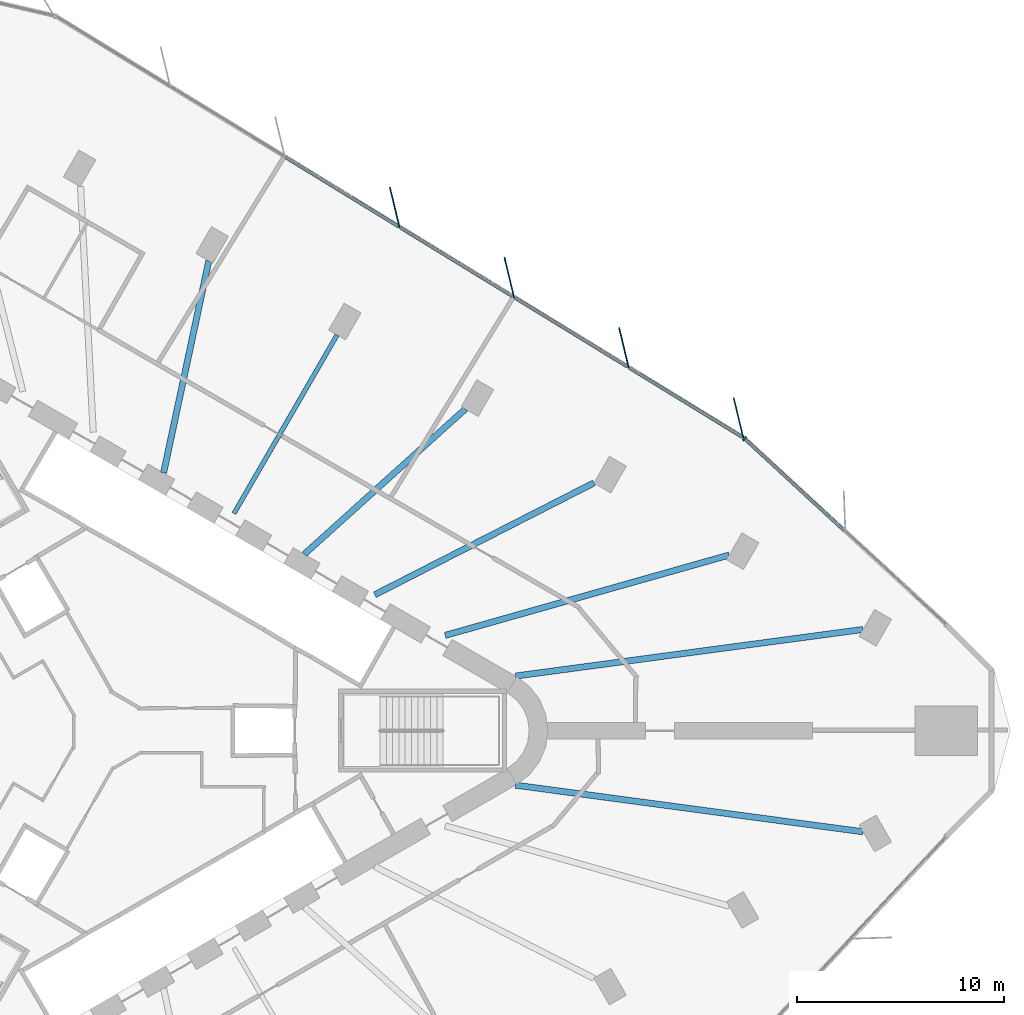
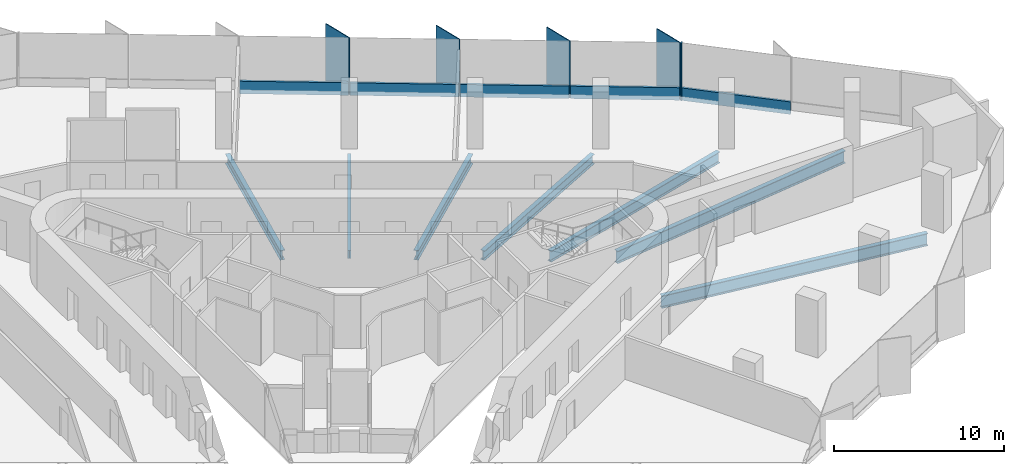
# One storey, part 5 of 14: 10 members, 7 beams, 2 elements without a shape of their own.
"""IFC4 building model written with IfcOpenShell, lengths in metres."""

from ifc_helpers import new_model, si_unit, direction, frame, origin, origin_2d, place, context, subcontext, project, spatial, rectangle, i_section, extrude, material, material_profile, profile_set, type_object, element, aggregate, save


model = new_model("IFC4")

# Units and contexts
model_context = context("Model", 3, precision=1e-05, world=origin(), true_north=direction((0.0, 1.0)))
body_context = subcontext(model_context, "Body", "Model", "MODEL_VIEW")
ifc_project = project(units=[si_unit("LENGTHUNIT", "METRE"), si_unit("AREAUNIT", "SQUARE_METRE"), si_unit("VOLUMEUNIT", "CUBIC_METRE"), si_unit("PLANEANGLEUNIT", "RADIAN"), si_unit("MASSUNIT", "GRAM", prefix="KILO")], contexts=[model_context])

# Site, building, storey
site_placement = place(None, origin())
site = spatial("IfcSite", under=ifc_project, at=site_placement, CompositionType="ELEMENT")
building_placement = place(site_placement, origin())
building = spatial("IfcBuilding", under=site, at=building_placement, Name="Tanit Gate Tower", CompositionType="ELEMENT")
storey_placement = place(building_placement, frame((0.0, 0.0, 127.5)))
storey = spatial("IfcBuildingStorey", under=building, at=storey_placement, Name="L27", CompositionType="ELEMENT", Elevation=127.5)

# Curtain wall, members
ifc_material_1 = material(Name="Aluminium bronze anodised and glass", Category="aluminium")
curtain_wall_type = type_object("IfcCurtainWallType", Name="Curtain wall typical low", PredefinedType="NOTDEFINED", material=ifc_material_1)
curtain_wall_1_placement = place(storey_placement, origin())
curtain_wall_1 = element("IfcCurtainWall", 1, at=curtain_wall_1_placement, inside=storey, type_object=curtain_wall_type, Name="Curtain wall L27 NE2", PredefinedType="NOTDEFINED")
ifc_material_2 = material(Name="Aluminium bronze anodised", Category="aluminium")
ifc_material_profile_1 = material_profile(ifc_material_2, rectangle(XDim=2.0, YDim=0.055908203125, at=origin_2d()), Name="56x2000 bronze fin mullion")
ifc_profile_set_1 = profile_set([ifc_material_profile_1], Name="Aluminium bronze anodised")
member_type_1 = type_object("IfcMemberType", Name="FIN MULLION 56x2000 bronze", PredefinedType="MULLION", material=ifc_profile_set_1)
member_1_placement = place(storey_placement, frame((30.402099609375, 15.08984375, -0.300048828125), z_axis=(0.0, 0.0, 1.0), x_axis=(0.23355666729, -0.97234319207, 0.0)))
member_1 = element("IfcMember", 2, at=member_1_placement, type_object=member_type_1, Name="Fin mullion L27 NE2.1", PredefinedType="MULLION", context=body_context, shape_type="SweptSolid", body=[
    extrude(rectangle(XDim=2.0, YDim=0.055908203125, at=origin_2d()), origin(), (0.0, 0.0, 1.0), 4.10009765625),
])
member_2_placement = place(storey_placement, frame((24.8701171875, 18.47900390625, -0.300048828125), z_axis=(0.0, 0.0, 1.0), x_axis=(0.23355666729, -0.97234319207, 0.0)))
member_2 = element("IfcMember", 3, at=member_2_placement, type_object=member_type_1, Name="Fin mullion L27 NE2.2", PredefinedType="MULLION", context=body_context, shape_type="SweptSolid", body=[
    extrude(rectangle(XDim=2.0, YDim=0.055908203125, at=origin_2d()), origin(), (0.0, 0.0, 1.0), 4.10009765625),
])
member_3_placement = place(storey_placement, frame((19.338134765625, 21.8681640625, -0.300048828125), z_axis=(0.0, 0.0, 1.0), x_axis=(0.23355666729, -0.97234319207, 0.0)))
member_3 = element("IfcMember", 4, at=member_3_placement, type_object=member_type_1, Name="Fin mullion L27 NE2.3", PredefinedType="MULLION", context=body_context, shape_type="SweptSolid", body=[
    extrude(rectangle(XDim=2.0, YDim=0.055908203125, at=origin_2d()), origin(), (0.0, 0.0, 1.0), 4.10009765625),
])
member_4_placement = place(storey_placement, frame((13.80615234375, 25.25732421875, -0.300048828125), z_axis=(0.0, 0.0, 1.0), x_axis=(0.23355666729, -0.97234319207, 0.0)))
member_4 = element("IfcMember", 5, at=member_4_placement, type_object=member_type_1, Name="Fin mullion L27 NE2.4", PredefinedType="MULLION", context=body_context, shape_type="SweptSolid", body=[
    extrude(rectangle(XDim=2.0, YDim=0.055908203125, at=origin_2d()), origin(), (0.0, 0.0, 1.0), 4.10009765625),
])

# Curtain wall, member
curtain_wall_2_placement = place(storey_placement, origin())
curtain_wall_2 = element("IfcCurtainWall", 6, at=curtain_wall_2_placement, inside=storey, type_object=curtain_wall_type, Name="Curtain wall L27 NE1", PredefinedType="NOTDEFINED")
ifc_material_3 = material(Name="Aluminium bronze anodised", Category="aluminium")
ifc_material_profile_2 = material_profile(ifc_material_3, rectangle(XDim=0.239990234375, YDim=0.080078125, at=origin_2d()), Name="80x240 bronze mullion")
ifc_profile_set_2 = profile_set([ifc_material_profile_2], Name="Aluminium bronze anodised")
member_type_2 = type_object("IfcMemberType", Name="Mullion 80x240 typical low", PredefinedType="MULLION", material=ifc_profile_set_2)
member_5_placement = place(storey_placement, frame((30.69384765625, 14.091552734375, -0.300048828125), z_axis=(0.0, 0.0, 1.0), x_axis=(-0.678017021535, -0.735046201615, 0.0)))
member_5 = element("IfcMember", 7, at=member_5_placement, type_object=member_type_2, Name="Mullion L27 NE1.3", PredefinedType="MULLION", context=body_context, shape_type="SweptSolid", body=[
    extrude(rectangle(XDim=0.239990234375, YDim=0.080078125, at=origin_2d()), origin(), (0.0, 0.0, 1.0), 4.10009765625),
])

# Beams
ifc_material_4 = material(Name="Steel S355", Category="steel")
ifc_material_profile_3 = material_profile(ifc_material_4, i_section(OverallWidth=0.300048828125, OverallDepth=0.68994140625, WebThickness=0.014404296875, FlangeThickness=0.027099609375, FilletRadius=0.027099609375, at=origin_2d()), Name="HEA 700")
ifc_profile_set_3 = profile_set([ifc_material_profile_3], Name="Steel S355")
beam_type_1 = type_object("IfcBeamType", Name="RADIAL GIRDER HEA 700 S355", PredefinedType="BEAM", material=ifc_profile_set_3)
beam_1_placement = place(storey_placement, frame((23.4248046875, 11.95703125, -0.64501953125), z_axis=(-0.890679829273, -0.454631105101, 0.0), x_axis=(0.454631105101, -0.890679829273, 0.0)))
element("IfcBeam", 8, at=beam_1_placement, inside=storey, type_object=beam_type_1, Name="RADIAL GIRDER", PredefinedType="BEAM", context=body_context, shape_type="SweptSolid", body=[
    extrude(i_section(OverallWidth=0.300048828125, OverallDepth=0.68994140625, WebThickness=0.014404296875, FlangeThickness=0.027099609375, FilletRadius=0.027099609375, at=origin_2d()), origin(), (0.0, 0.0, 1.0), 11.876953125),
])
beam_2_placement = place(storey_placement, frame((17.2158203125, 15.52197265625, -0.64501953125), z_axis=(-0.742697199344, -0.669627411391, 0.0), x_axis=(0.669627411391, -0.742697199344, 0.0)))
element("IfcBeam", 9, at=beam_2_placement, inside=storey, type_object=beam_type_1, Name="RADIAL GIRDER", PredefinedType="BEAM", context=body_context, shape_type="SweptSolid", body=[
    extrude(i_section(OverallWidth=0.300048828125, OverallDepth=0.68994140625, WebThickness=0.014404296875, FlangeThickness=0.027099609375, FilletRadius=0.027099609375, at=origin_2d()), origin(), (0.0, 0.0, 1.0), 10.4580078125),
])
beam_3_placement = place(storey_placement, frame((4.83447265625, 22.670166015625, -0.64501953125), z_axis=(-0.208567613374, -0.978007950199, 0.0), x_axis=(0.978007950199, -0.208567613374, 0.0)))
element("IfcBeam", 10, at=beam_3_placement, inside=storey, type_object=beam_type_1, Name="RADIAL GIRDER", PredefinedType="BEAM", context=body_context, shape_type="SweptSolid", body=[
    extrude(i_section(OverallWidth=0.300048828125, OverallDepth=0.68994140625, WebThickness=0.014404296875, FlangeThickness=0.027099609375, FilletRadius=0.027099609375, at=origin_2d()), origin(), (0.0, 0.0, 1.0), 10.457763671875),
])
ifc_material_5 = material(Name="Steel S355", Category="steel")
ifc_material_profile_4 = material_profile(ifc_material_5, i_section(OverallWidth=0.300048828125, OverallDepth=0.7900390625, WebThickness=0.014892578125, FlangeThickness=0.028076171875, FilletRadius=0.030029296875, at=origin_2d()), Name="HEA 800")
ifc_profile_set_4 = profile_set([ifc_material_profile_4], Name="Steel S355")
beam_type_2 = type_object("IfcBeamType", Name="RADIAL GIRDER HEA 800 S355", PredefinedType="BEAM", material=ifc_profile_set_4)
beam_4_placement = place(storey_placement, frame((29.947998046875, 8.472900390625, -0.695068359375), z_axis=(-0.962230365489, -0.272236521669, 0.0), x_axis=(0.272236521669, -0.962230365489, 0.0)))
element("IfcBeam", 11, at=beam_4_placement, inside=storey, type_object=beam_type_2, Name="RADIAL GIRDER", PredefinedType="BEAM", context=body_context, shape_type="SweptSolid", body=[
    extrude(i_section(OverallWidth=0.300048828125, OverallDepth=0.7900390625, WebThickness=0.014892578125, FlangeThickness=0.028076171875, FilletRadius=0.030029296875, at=origin_2d()), origin(), (0.0, 0.0, 1.0), 14.241943359375),
])
ifc_material_6 = material(Name="Steel S355", Category="steel")
ifc_material_profile_5 = material_profile(ifc_material_6, i_section(OverallWidth=0.300048828125, OverallDepth=0.889892578125, WebThickness=0.01611328125, FlangeThickness=0.030029296875, FilletRadius=0.030029296875, at=origin_2d()), Name="HEA 900")
ifc_profile_set_5 = profile_set([ifc_material_profile_5], Name="Steel S355")
beam_type_3 = type_object("IfcBeamType", Name="RADIAL GIRDER HEA 900 S355", PredefinedType="BEAM", material=ifc_profile_set_5)
for number, where, z_axis, x_axis, name in (
    (12, (36.410400390625, -4.8828125, -0.7451171875), (-0.991127424738, 0.132915115517, 0.0), (-0.132915115517, -0.991127424738, 0.0), "RADIAL GIRDER"),
    (13, (36.410400390625, 4.8828125, -0.7451171875), (-0.991127424738, -0.132915115517, 0.0), (0.132915115517, -0.991127424738, 0.0), "RADIAL GIRDER"),
):
    element("IfcBeam", number, at=place(storey_placement, frame(where, z_axis=z_axis, x_axis=x_axis)), inside=storey, type_object=beam_type_3, Name=name, PredefinedType="BEAM", context=body_context, shape_type="SweptSolid", body=[
        extrude(i_section(OverallWidth=0.300048828125, OverallDepth=0.889892578125, WebThickness=0.01611328125, FlangeThickness=0.030029296875, FilletRadius=0.030029296875, at=origin_2d()), origin(), (0.0, 0.0, 1.0), 16.9189453125),
    ])
ifc_material_7 = material(Name="Steel S355", Category="steel")
ifc_material_profile_6 = material_profile(ifc_material_7, i_section(OverallWidth=0.219970703125, OverallDepth=0.60009765625, WebThickness=0.011962890625, FlangeThickness=0.01904296875, FilletRadius=0.02392578125, at=origin_2d()), Name="IPE 600")
ifc_profile_set_6 = profile_set([ifc_material_profile_6], Name="Steel S355")
beam_type_4 = type_object("IfcBeamType", Name="RADIAL GIRDER IPE 600 S355", PredefinedType="BEAM", material=ifc_profile_set_6)
beam_5_placement = place(storey_placement, frame((11.025146484375, 19.095947265625, -0.60009765625), z_axis=(-0.500008534912, -0.866020476095, 0.0), x_axis=(0.866020476095, -0.500008534912, 0.0)))
element("IfcBeam", 14, at=beam_5_placement, inside=storey, type_object=beam_type_4, Name="RADIAL GIRDER", PredefinedType="BEAM", context=body_context, shape_type="SweptSolid", body=[
    extrude(i_section(OverallWidth=0.219970703125, OverallDepth=0.60009765625, WebThickness=0.011962890625, FlangeThickness=0.01904296875, FilletRadius=0.02392578125, at=origin_2d()), origin(), (0.0, 0.0, 1.0), 9.947998046875),
])

# Member
ifc_material_8 = material(Name="Aluminium bronze anodised", Category="aluminium")
ifc_material_profile_7 = material_profile(ifc_material_8, rectangle(XDim=0.159912109375, YDim=0.89990234375, at=origin_2d()), Name="160x900 bronze transom")
ifc_profile_set_7 = profile_set([ifc_material_profile_7], Name="Aluminium bronze anodised")
member_type_3 = type_object("IfcMemberType", Name="Transom 160x900 typical low", PredefinedType="USERDEFINED", material=ifc_profile_set_7)
member_6_placement = place(storey_placement, frame((35.5302734375, 9.63037109375, 0.14990234375), z_axis=(-0.735035267358, 0.678028875299, 0.0), x_axis=(-0.678028875299, -0.735035267358, 0.0)))
member_6 = element("IfcMember", 15, at=member_6_placement, type_object=member_type_3, Name="Transom L27 NE1.2", ObjectType="TRANSOM", PredefinedType="USERDEFINED", context=body_context, shape_type="SweptSolid", body=[
    extrude(rectangle(XDim=0.159912109375, YDim=0.89990234375, at=origin_2d()), origin(), (0.0, 0.0, 1.0), 6.53955078125),
])

aggregate(curtain_wall_2, [member_5, member_6])

member_7_placement = place(storey_placement, frame((30.59619140625, 14.160400390625, 0.14990234375), z_axis=(-0.852688858165, 0.522419095326, 0.0), x_axis=(-0.522419095326, -0.852688858165, 0.0)))
member_7 = element("IfcMember", 16, at=member_7_placement, type_object=member_type_3, Name="Transom L27 NE2.1", ObjectType="TRANSOM", PredefinedType="USERDEFINED", context=body_context, shape_type="SweptSolid", body=[
    extrude(rectangle(XDim=0.159912109375, YDim=0.89990234375, at=origin_2d()), origin(), (0.0, 0.0, 1.0), 6.407470703125),
])

member_8_placement = place(storey_placement, frame((25.064208984375, 17.549560546875, 0.14990234375), z_axis=(-0.852688858165, 0.522419095326, 0.0), x_axis=(-0.522419095326, -0.852688858165, 0.0)))
member_8 = element("IfcMember", 17, at=member_8_placement, type_object=member_type_3, Name="Transom L27 NE2.2", ObjectType="TRANSOM", PredefinedType="USERDEFINED", context=body_context, shape_type="SweptSolid", body=[
    extrude(rectangle(XDim=0.159912109375, YDim=0.89990234375, at=origin_2d()), origin(), (0.0, 0.0, 1.0), 6.407470703125),
])

member_9_placement = place(storey_placement, frame((19.5322265625, 20.938720703125, 0.14990234375), z_axis=(-0.852688858165, 0.522419095326, 0.0), x_axis=(-0.522419095326, -0.852688858165, 0.0)))
member_9 = element("IfcMember", 18, at=member_9_placement, type_object=member_type_3, Name="Transom L27 NE2.3", ObjectType="TRANSOM", PredefinedType="USERDEFINED", context=body_context, shape_type="SweptSolid", body=[
    extrude(rectangle(XDim=0.159912109375, YDim=0.89990234375, at=origin_2d()), origin(), (0.0, 0.0, 1.0), 6.407470703125),
])

member_10_placement = place(storey_placement, frame((14.000244140625, 24.327880859375, 0.14990234375), z_axis=(-0.852688858165, 0.522419095326, 0.0), x_axis=(-0.522419095326, -0.852688858165, 0.0)))
member_10 = element("IfcMember", 19, at=member_10_placement, type_object=member_type_3, Name="Transom L27 NE2.4", ObjectType="TRANSOM", PredefinedType="USERDEFINED", context=body_context, shape_type="SweptSolid", body=[
    extrude(rectangle(XDim=0.159912109375, YDim=0.89990234375, at=origin_2d()), origin(), (0.0, 0.0, 1.0), 6.407470703125),
])

aggregate(curtain_wall_1, [member_1, member_2, member_3, member_4, member_7, member_8, member_9, member_10])

save(model, "model.ifc")
